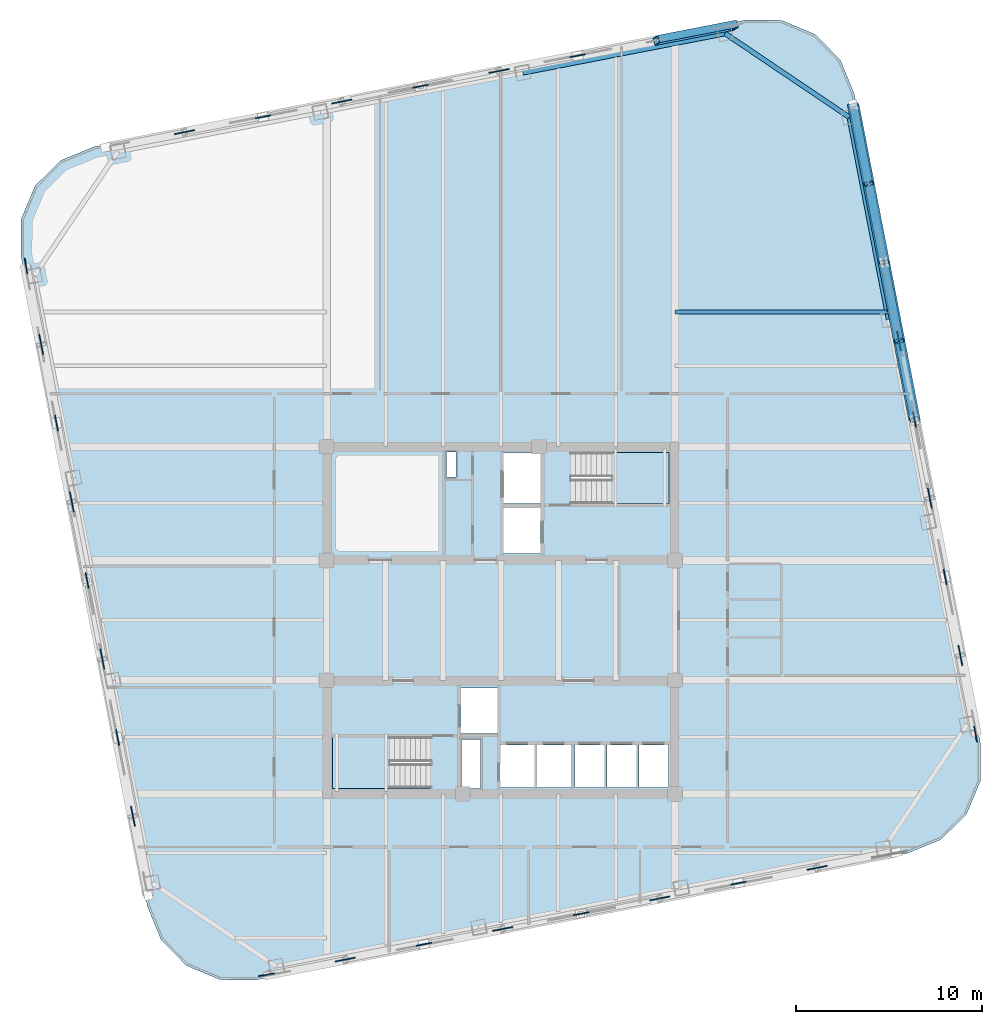
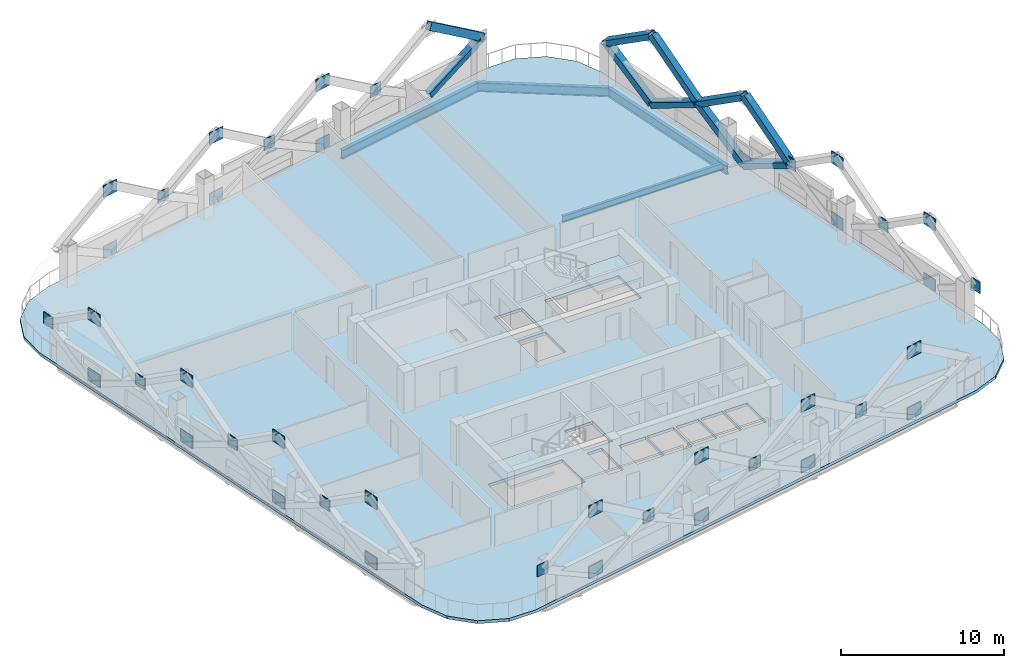
# One storey, part 3 of 10: 41 plates, 10 members, 4 beams, 3 slabs, 2 elements without a shape of their own.
"""IFC4 building model written with IfcOpenShell, lengths in metres."""

import ifcopenshell
import ifcopenshell.guid

model = None  # the IFC model being written
_history = None  # IfcOwnerHistory: only IFC2X3 demands one
_inside = {}  # id of a spatial element -> (the spatial element, [elements in it])
_under = {}  # id of a project, library or spatial element -> (it, [spatial elements below it])
_declared = {}  # id of a project -> (the project, [libraries it declares])
_typed = {}  # id of a type object -> (the type object, [elements of that type])
_made_of = {}  # id of a material, layer set ... -> (it, [elements and type objects made of it])


def new_model(schema):
    """Start an empty IFC model of exactly this schema.

    Asked for "IFC4X3", IfcOpenShell would pick the latest addendum, in which some entities
    have other attributes; the version numbers below select the first issue.
    IFC2X3 requires an IfcOwnerHistory on every rooted entity: one is made here for all.
    """
    global model, _history
    if schema == "IFC4X3":
        model = ifcopenshell.file(schema_version=(4, 3, 0, 0))
    else:
        model = ifcopenshell.file(schema=schema)
    _inside.clear()
    _under.clear()
    _declared.clear()
    _typed.clear()
    _made_of.clear()
    _history = None
    if model.schema == "IFC2X3":
        org = make("IfcOrganization", Name="unknown")
        user = make(
            "IfcPersonAndOrganization",
            ThePerson=make("IfcPerson", FamilyName="unknown"),
            TheOrganization=org,
        )
        app = make(
            "IfcApplication",
            ApplicationDeveloper=org,
            Version="unknown",
            ApplicationFullName="unknown",
            ApplicationIdentifier="unknown",
        )
        _history = make(
            "IfcOwnerHistory",
            OwningUser=user,
            OwningApplication=app,
            ChangeAction="ADDED",
            CreationDate=0,
        )
    return model


def make(cls, **values):
    """One entity of the class cls with the attributes given. An attribute that is None is left unset."""
    return model.create_entity(
        cls, **{name: value for name, value in values.items() if value is not None}
    )


def rooted(cls, **values):
    """An entity with a GlobalId (a new one), such as an element, a storey or a relation."""
    return make(cls, GlobalId=ifcopenshell.guid.new(), OwnerHistory=_history, **values)


def si_unit(unit_type, name, prefix=None):
    """IfcSIUnit, for example si_unit("LENGTHUNIT", "METRE", prefix="MILLI")."""
    return make("IfcSIUnit", UnitType=unit_type, Prefix=prefix, Name=name)


def assignment(units):
    """IfcUnitAssignment: the units of a project."""
    return None if units is None else make("IfcUnitAssignment", Units=units)


def point(xyz):
    """IfcCartesianPoint."""
    return None if xyz is None else make("IfcCartesianPoint", Coordinates=xyz)


def direction(xyz):
    """IfcDirection."""
    return None if xyz is None else make("IfcDirection", DirectionRatios=xyz)


def frame(location, z_axis=None, x_axis=None):
    """IfcAxis2Placement3D, a coordinate frame: its origin and axes. An axis left out is left unset."""
    return make(
        "IfcAxis2Placement3D",
        Location=point(location),
        Axis=direction(z_axis),
        RefDirection=direction(x_axis),
    )


def frame_2d(location, x_axis=None):
    """IfcAxis2Placement2D, a coordinate frame in the plane: its origin and x axis."""
    return make(
        "IfcAxis2Placement2D", Location=point(location), RefDirection=direction(x_axis)
    )


def origin():
    """The frame at (0, 0, 0) with its axes left unset."""
    return frame((0.0, 0.0, 0.0))


def origin_2d():
    """The frame at (0, 0) in the plane with its x axis left unset."""
    return frame_2d((0.0, 0.0))


def place(relative_to, where):
    """IfcLocalPlacement: puts the frame where relative to a parent placement (None: the world)."""
    return make(
        "IfcLocalPlacement", PlacementRelTo=relative_to, RelativePlacement=where
    )


def context(
    kind, dimensions, precision=None, world=None, true_north=None, identifier=None
):
    """IfcGeometricRepresentationContext, for example the 3D "Model" context."""
    return make(
        "IfcGeometricRepresentationContext",
        ContextIdentifier=identifier,
        ContextType=kind,
        CoordinateSpaceDimension=dimensions,
        Precision=precision,
        WorldCoordinateSystem=world,
        TrueNorth=true_north,
    )


def subcontext(parent, identifier, kind, view, scale=None):
    """IfcGeometricRepresentationSubContext, for example "Body" below "Model"."""
    return make(
        "IfcGeometricRepresentationSubContext",
        ContextIdentifier=identifier,
        ContextType=kind,
        ParentContext=parent,
        TargetScale=scale,
        TargetView=view,
    )


def project(units=None, contexts=None):
    """IfcProject with its units and contexts."""
    return rooted(
        "IfcProject",
        Name="project",
        RepresentationContexts=contexts,
        UnitsInContext=assignment(units),
    )


def spatial(cls, under=None, at=None, **own):
    """A site, building, storey or space (cls), placed at a placement, below another one or the project."""
    s = rooted(cls, ObjectPlacement=at, **own)
    if under is not None:
        _under.setdefault(under.id(), (under, []))[1].append(s)
    return s


def polyline(points):
    """IfcPolyline through the points."""
    return make("IfcPolyline", Points=[point(p) for p in points])


def profile(cls, at=None, kind="AREA", **sizes):
    """A parametric profile (cls). Its sizes go by their IFC names, for example OverallWidth=200.0."""
    return make(cls, ProfileType=kind, Position=at, **sizes)


def rectangle(**sizes):
    """IfcRectangleProfileDef."""
    return profile("IfcRectangleProfileDef", **sizes)


def hollow_rectangle(**sizes):
    """IfcRectangleHollowProfileDef."""
    return profile("IfcRectangleHollowProfileDef", **sizes)


def i_section(**sizes):
    """IfcIShapeProfileDef."""
    return profile("IfcIShapeProfileDef", **sizes)


def outline(outer, holes=None, kind="AREA"):
    """IfcArbitraryClosedProfileDef: a profile drawn as a closed curve; with holes, ...WithVoids."""
    if holes is None:
        return make("IfcArbitraryClosedProfileDef", ProfileType=kind, OuterCurve=outer)
    return make(
        "IfcArbitraryProfileDefWithVoids",
        ProfileType=kind,
        OuterCurve=outer,
        InnerCurves=holes,
    )


def extrude(swept, where, along, depth):
    """IfcExtrudedAreaSolid: the profile swept, set in the frame where, extruded along a direction by depth."""
    return make(
        "IfcExtrudedAreaSolid",
        SweptArea=swept,
        Position=where,
        ExtrudedDirection=direction(along),
        Depth=depth,
    )


def shape(context_of_items, identifier, shape_type, items):
    """IfcShapeRepresentation: the items that make up one representation, for example the "Body"."""
    return make(
        "IfcShapeRepresentation",
        ContextOfItems=context_of_items,
        RepresentationIdentifier=identifier,
        RepresentationType=shape_type,
        Items=items,
    )


def material(Name=None, Category=None):
    """IfcMaterial."""
    return make("IfcMaterial", Name=Name, Category=Category)


def layer(
    of_material, thickness, ventilated=None, Name=None, Category=None, Priority=None
):
    """IfcMaterialLayer: one layer of a wall or slab, of a material (None: an air gap)."""
    return make(
        "IfcMaterialLayer",
        Material=of_material,
        LayerThickness=thickness,
        IsVentilated=ventilated,
        Name=Name,
        Category=Category,
        Priority=Priority,
    )


def layer_set(layers, Name=None):
    """IfcMaterialLayerSet."""
    return make("IfcMaterialLayerSet", MaterialLayers=layers, LayerSetName=Name)


def material_profile(
    of_material, cross_section, Name=None, Category=None, Priority=None
):
    """IfcMaterialProfile: a cross section and its material."""
    return make(
        "IfcMaterialProfile",
        Name=Name,
        Material=of_material,
        Profile=cross_section,
        Priority=Priority,
        Category=Category,
    )


def profile_set(profiles, Name=None, composite=None):
    """IfcMaterialProfileSet."""
    return make(
        "IfcMaterialProfileSet",
        Name=Name,
        MaterialProfiles=profiles,
        CompositeProfile=composite,
    )


def made_of(thing, what):
    """Note that an element or type object is made of a material, layer set ...; save() writes the relation."""
    if what is not None:
        _made_of.setdefault(what.id(), (what, []))[1].append(thing)
    return thing


def type_object(cls, material=None, **own):
    """A type object (cls), such as IfcWallType, which elements share."""
    return made_of(rooted(cls, **own), material)


def element(
    cls,
    number,
    at=None,
    inside=None,
    cuts=None,
    type_object=None,
    material=None,
    context=None,
    identifier="Body",
    shape_type=None,
    held_by="IfcProductDefinitionShape",
    body=None,
    shapes=None,
    **own,
):
    """One element of the class cls, such as IfcWall. Its Tag is "e" and its number.

    at: its placement. inside: the storey or other place that contains it. cuts: it is an
    opening in that element (IfcRelVoidsElement). A single representation is given by context,
    identifier, shape_type and body (its items); several are given by shapes. held_by: the class
    of the entity that holds the representations. save() writes the other relations.
    """
    e = rooted(cls, Tag="e%d" % number, ObjectPlacement=at, **own)
    if body is not None:
        shapes = [shape(context, identifier, shape_type, body)]
    if shapes is not None:
        e.Representation = make(held_by, Representations=shapes)
    if inside is not None:
        _inside.setdefault(inside.id(), (inside, []))[1].append(e)
    if cuts is not None:
        rooted(
            "IfcRelVoidsElement", RelatingBuildingElement=cuts, RelatedOpeningElement=e
        )
    if type_object is not None:
        _typed.setdefault(type_object.id(), (type_object, []))[1].append(e)
    return made_of(e, material)


def aggregate(whole, parts):
    """IfcRelAggregates: a whole, such as a stair, and the parts it consists of."""
    return rooted("IfcRelAggregates", RelatingObject=whole, RelatedObjects=parts)


def save(model, path):
    """Write the relations noted so far, then the file.

    IfcRelAggregates (storeys below a building ...), IfcRelContainedInSpatialStructure (elements
    in a storey), IfcRelDefinesByType, IfcRelAssociatesMaterial and IfcRelDeclares: one each for
    every whole, place, type object, material and project.
    """
    for whole, parts in _under.values():
        aggregate(whole, parts)
    for where, things in _inside.values():
        rooted(
            "IfcRelContainedInSpatialStructure",
            RelatedElements=things,
            RelatingStructure=where,
        )
    for kind, things in _typed.values():
        rooted("IfcRelDefinesByType", RelatedObjects=things, RelatingType=kind)
    for what, things in _made_of.values():
        rooted("IfcRelAssociatesMaterial", RelatedObjects=things, RelatingMaterial=what)
    for by, libraries in _declared.values():
        rooted("IfcRelDeclares", RelatingContext=by, RelatedDefinitions=libraries)
    model.write(path)


model = new_model("IFC4")

# Units and contexts
model_context = context("Model", 3, precision=1e-05, world=origin(), true_north=direction((0.0, 1.0)))
body_context = subcontext(model_context, "Body", "Model", "MODEL_VIEW")
ifc_project = project(units=[si_unit("LENGTHUNIT", "METRE"), si_unit("AREAUNIT", "SQUARE_METRE"), si_unit("VOLUMEUNIT", "CUBIC_METRE"), si_unit("PLANEANGLEUNIT", "RADIAN"), si_unit("MASSUNIT", "GRAM", prefix="KILO")], contexts=[model_context])

# Site, building, storey
site_placement = place(None, origin())
site = spatial("IfcSite", under=ifc_project, at=site_placement, CompositionType="ELEMENT")
building_placement = place(site_placement, origin())
building = spatial("IfcBuilding", under=site, at=building_placement, Name="Qhalaya Broadcast Tower", CompositionType="ELEMENT")
storey_placement = place(building_placement, frame((0.0, 0.0, 131.10009765625)))
storey = spatial("IfcBuildingStorey", under=building, at=storey_placement, Name="L38", CompositionType="ELEMENT", Elevation=131.10009765625)

# Beam
ifc_material_1 = material(Name="Structural Steel ASTM A992 Grade 50", Category="steel")
ifc_material_profile_1 = material_profile(ifc_material_1, i_section(OverallWidth=0.19189453125, OverallDepth=0.462890625, WebThickness=0.010498046875, FlangeThickness=0.017578125, at=origin_2d()), Name="W18X60")
ifc_profile_set_1 = profile_set([ifc_material_profile_1], Name="Structural Steel ASTM A992 Grade 50")
beam_type_1 = type_object("IfcBeamType", Name="Composite Floor Joist J03", PredefinedType="JOIST", material=ifc_profile_set_1)
beam_1_placement = place(storey_placement, frame((9.375, 17.199951171875, -0.45166015625), z_axis=(1.0, 0.0, 0.0), x_axis=(0.0, 1.0, 0.0)))
element("IfcBeam", 1, at=beam_1_placement, inside=storey, type_object=beam_type_1, Name="L38 J03 L38-JWE7E-1", PredefinedType="JOIST", context=body_context, shape_type="SweptSolid", body=[
    extrude(i_section(OverallWidth=0.19189453125, OverallDepth=0.462890625, WebThickness=0.010498046875, FlangeThickness=0.017578125, at=origin_2d()), origin(), (0.0, 0.0, 1.0), 11.40576171875),
])

# Members
ifc_material_2 = material(Name="Structural Steel ASTM A572 Grade 50", Category="steel")
ifc_material_profile_2 = material_profile(ifc_material_2, hollow_rectangle(XDim=0.419921875, YDim=0.550048828125, WallThickness=0.028076171875, at=origin_2d()), Name="BOX 420x550x28")
ifc_profile_set_2 = profile_set([ifc_material_profile_2], Name="Structural Steel ASTM A572 Grade 50")
member_type = type_object("IfcMemberType", Name="Exoskeleton Diamond Diagonal Mid-Low EX2", PredefinedType="BRACE", material=ifc_profile_set_2)
member_1_placement = place(storey_placement, frame((21.4501953125, 15.642578125, 0.35986328125), z_axis=(0.167902203124, -0.863618006517, 0.475365952719), x_axis=(-0.276355899211, 0.421640895738, 0.863623976052)))
element("IfcMember", 2, at=member_1_placement, inside=storey, type_object=member_type, Name="B3 Exoskeleton Diamond Brace E3-D1", PredefinedType="BRACE", context=body_context, shape_type="SweptSolid", body=[
    extrude(hollow_rectangle(XDim=0.419921875, YDim=0.550048828125, WallThickness=0.028076171875, at=origin_2d()), origin(), (0.0, 0.0, 1.0), 4.901611328125),
])
member_2_placement = place(storey_placement, frame((21.4501953125, 15.642578125, 0.35986328125), z_axis=(-0.16784657874, 0.863637885863, 0.47534947997), x_axis=(0.276324827587, -0.421643364625, 0.863632712863)))
element("IfcMember", 3, at=member_2_placement, inside=storey, type_object=member_type, Name="B3 Exoskeleton Diamond Brace E3-D2", PredefinedType="BRACE", context=body_context, shape_type="SweptSolid", body=[
    extrude(hollow_rectangle(XDim=0.419921875, YDim=0.550048828125, WallThickness=0.028076171875, at=origin_2d()), origin(), (0.0, 0.0, 1.0), 4.90185546875),
])
for number, where, z_axis, x_axis, name in (
    (4, (22.273193359375, 11.409423828125, 2.68994140625), (-0.159893335716, 0.822423775729, 0.545942537553), (0.289577544331, -0.489647453062, 0.822429460519), "B3 Exoskeleton Diamond Brace E3-D3"),
    (5, (20.62744140625, 19.8759765625, 2.68994140625), (0.159840880392, -0.822445360829, 0.545925380804), (-0.289541830698, 0.489650140275, 0.822440434563), "B3 Exoskeleton Diamond Brace E3-D4"),
):
    element("IfcMember", number, at=place(storey_placement, frame(where, z_axis=z_axis, x_axis=x_axis)), inside=storey, type_object=member_type, Name=name, PredefinedType="BRACE", context=body_context, shape_type="SweptSolid", body=[
        extrude(hollow_rectangle(XDim=0.419921875, YDim=0.550048828125, WallThickness=0.028076171875, at=origin_2d()), origin(), (0.0, 0.0, 1.0), 5.147216796875),
    ])
member_3_placement = place(storey_placement, frame((19.804443359375, 24.109375, 0.35986328125), z_axis=(0.167894981079, -0.863630665056, 0.475345505611), x_axis=(-0.276347513602, 0.421624178814, 0.863634820723)))
element("IfcMember", 6, at=member_3_placement, inside=storey, type_object=member_type, Name="B3 Exoskeleton Diamond Brace E4-D1", PredefinedType="BRACE", context=body_context, shape_type="SweptSolid", body=[
    extrude(hollow_rectangle(XDim=0.419921875, YDim=0.550048828125, WallThickness=0.028076171875, at=origin_2d()), origin(), (0.0, 0.0, 1.0), 4.90185546875),
])
member_4_placement = place(storey_placement, frame((19.804443359375, 24.109375, 0.35986328125), z_axis=(-0.167853798825, 0.86362522784, 0.475369927591), x_axis=(0.276333211151, -0.421660083323, 0.863621867803)))
element("IfcMember", 7, at=member_4_placement, inside=storey, type_object=member_type, Name="B3 Exoskeleton Diamond Brace E4-D2", PredefinedType="BRACE", context=body_context, shape_type="SweptSolid", body=[
    extrude(hollow_rectangle(XDim=0.419921875, YDim=0.550048828125, WallThickness=0.028076171875, at=origin_2d()), origin(), (0.0, 0.0, 1.0), 4.901611328125),
])
member_5_placement = place(storey_placement, frame((20.62744140625, 19.8759765625, 2.68994140625), z_axis=(-0.159887098587, 0.822439124739, 0.545921241393), x_axis=(0.289568264946, -0.489630060841, 0.822443082199)))
element("IfcMember", 8, at=member_5_placement, inside=storey, type_object=member_type, Name="B3 Exoskeleton Diamond Brace E4-D3", PredefinedType="BRACE", context=body_context, shape_type="SweptSolid", body=[
    extrude(hollow_rectangle(XDim=0.419921875, YDim=0.550048828125, WallThickness=0.028076171875, at=origin_2d()), origin(), (0.0, 0.0, 1.0), 5.1474609375),
])
member_6_placement = place(storey_placement, frame((18.981689453125, 28.342529296875, 2.68994140625), z_axis=(0.159847115813, -0.822430012189, 0.545946677449), x_axis=(-0.289551107794, 0.489667534331, 0.822426812426)))
element("IfcMember", 9, at=member_6_placement, inside=storey, type_object=member_type, Name="B3 Exoskeleton Diamond Brace E4-D4", PredefinedType="BRACE", context=body_context, shape_type="SweptSolid", body=[
    extrude(hollow_rectangle(XDim=0.419921875, YDim=0.550048828125, WallThickness=0.028076171875, at=origin_2d()), origin(), (0.0, 0.0, 1.0), 5.147216796875),
])
member_7_placement = place(storey_placement, frame((8.370361328125, 31.82177734375, 0.35986328125), z_axis=(0.86362522784, 0.167853798825, 0.475369927591), x_axis=(-0.276322709835, 0.946290155626, 0.167871085642)))
element("IfcMember", 10, at=member_7_placement, inside=storey, type_object=member_type, Name="B3 Exoskeleton Diamond Brace N1-D1", PredefinedType="BRACE", context=body_context, shape_type="SweptSolid", body=[
    extrude(hollow_rectangle(XDim=0.419921875, YDim=0.550048828125, WallThickness=0.028076171875, at=origin_2d()), origin(), (0.0, 0.0, 1.0), 4.901611328125),
])
member_8_placement = place(storey_placement, frame((12.603515625, 32.64453125, 2.68994140625), z_axis=(-0.822430012189, -0.159847115813, 0.545946677449), x_axis=(0.289542019185, -0.943720856791, 0.159863578043)))
element("IfcMember", 11, at=member_8_placement, inside=storey, type_object=member_type, Name="B3 Exoskeleton Diamond Brace N1-D3", PredefinedType="BRACE", context=body_context, shape_type="SweptSolid", body=[
    extrude(hollow_rectangle(XDim=0.419921875, YDim=0.550048828125, WallThickness=0.028076171875, at=origin_2d()), origin(), (0.0, 0.0, 1.0), 5.147216796875),
])

# Beams
ifc_material_profile_3 = material_profile(ifc_material_1, i_section(OverallWidth=0.25390625, OverallDepth=0.68310546875, WebThickness=0.012451171875, FlangeThickness=0.01904296875, at=origin_2d()), Name="W27X94")
ifc_profile_set_3 = profile_set([ifc_material_profile_3], Name="Structural Steel ASTM A992 Grade 50")
beam_type_2 = type_object("IfcBeamType", Name="Perimeter Ring Spandrel Beam SP1", PredefinedType="SPANDREL", material=ifc_profile_set_3)
beam_2_placement = place(storey_placement, frame((20.88037109375, 16.79248046875, -0.5615234375), z_axis=(-0.190800781233, 0.98162878008, 0.0), x_axis=(-0.98162878008, -0.190800781233, 0.0)))
element("IfcBeam", 12, at=beam_2_placement, inside=storey, type_object=beam_type_2, Name="L38 SP1 L38-SPR-07", PredefinedType="SPANDREL", context=body_context, shape_type="SweptSolid", body=[
    extrude(i_section(OverallWidth=0.25390625, OverallDepth=0.68310546875, WebThickness=0.012451171875, FlangeThickness=0.01904296875, at=origin_2d()), origin(), (0.0, 0.0, 1.0), 11.10009765625),
])
beam_3_placement = place(storey_placement, frame((18.762451171875, 27.688720703125, -0.5615234375), z_axis=(-0.829042088473, 0.559186208288, 0.0), x_axis=(-0.559186208288, -0.829042088473, 0.0)))
element("IfcBeam", 13, at=beam_3_placement, inside=storey, type_object=beam_type_2, Name="L38 SP1 L38-SPR-08", PredefinedType="SPANDREL", context=body_context, shape_type="SweptSolid", body=[
    extrude(i_section(OverallWidth=0.25390625, OverallDepth=0.68310546875, WebThickness=0.012451171875, FlangeThickness=0.01904296875, at=origin_2d()), origin(), (0.0, 0.0, 1.0), 8.06103515625),
])
beam_4_placement = place(storey_placement, frame((12.07958984375, 32.1962890625, -0.5615234375), z_axis=(-0.98162878008, -0.190800781233, 0.0), x_axis=(0.190800781233, -0.98162878008, 0.0)))
element("IfcBeam", 14, at=beam_4_placement, inside=storey, type_object=beam_type_2, Name="L38 SP1 L38-SPR-09", PredefinedType="SPANDREL", context=body_context, shape_type="SweptSolid", body=[
    extrude(i_section(OverallWidth=0.25390625, OverallDepth=0.68310546875, WebThickness=0.012451171875, FlangeThickness=0.01904296875, at=origin_2d()), origin(), (0.0, 0.0, 1.0), 11.10009765625),
])

# Plates
ifc_layer_1 = layer(ifc_material_2, 0.054931640625, Name="Structural Steel ASTM A572 Grade 50")
ifc_layer_set_1 = layer_set([ifc_layer_1], Name="Structural Steel ASTM A572 Grade 50")
plate_type = type_object("IfcPlateType", Name="Exoskeleton Diamond Node Gusset Plate NP-01", PredefinedType="USERDEFINED", material=ifc_layer_set_1)
for number, where, z_axis, x_axis, name in (
    (15, (-8.370361328125, -17.66162109375, 0.2099609375), (0.0, 0.0, 1.0), (0.981627183448, 0.190808995377, 0.0), "Exoskeleton Diamond Node B3-S1-BOT"),
    (16, (-8.370361328125, -17.66162109375, 4.75), (0.0, 0.0, 1.0), (0.981627183448, 0.190808995377, 0.0), "Exoskeleton Diamond Node B3-S1-TOP"),
):
    element("IfcPlate", number, at=place(storey_placement, frame(where, z_axis=z_axis, x_axis=x_axis)), inside=storey, type_object=plate_type, Name=name, ObjectType="GUSSET_PLATE", PredefinedType="USERDEFINED", context=body_context, shape_type="SweptSolid", body=[
        extrude(rectangle(XDim=1.10009765625, YDim=0.054931640625, at=origin_2d()), origin(), (0.0, 0.0, 1.0), 0.89990234375),
    ])
plate_1_placement = place(storey_placement, frame((-12.603515625, -18.484619140625, 2.264892578125), z_axis=(0.0, 0.0, 1.0), x_axis=(0.981627183448, 0.190808995377, 0.0)))
element("IfcPlate", 17, at=plate_1_placement, inside=storey, type_object=plate_type, Name="Exoskeleton Diamond Node B3-S1-MDL", ObjectType="GUSSET_PLATE", PredefinedType="USERDEFINED", context=body_context, shape_type="SweptSolid", body=[
    extrude(rectangle(XDim=0.85009765625, YDim=0.054931640625, at=origin_2d()), origin(), (0.0, 0.0, 1.0), 0.85009765625),
])
for number, where, z_axis, x_axis, name in (
    (18, (0.09619140625, -16.01611328125, 0.2099609375), (0.0, 0.0, 1.0), (0.981627183448, 0.190808995377, 0.0), "Exoskeleton Diamond Node B3-S2-BOT"),
    (19, (0.09619140625, -16.01611328125, 4.75), (0.0, 0.0, 1.0), (0.981627183448, 0.190808995377, 0.0), "Exoskeleton Diamond Node B3-S2-TOP"),
):
    element("IfcPlate", number, at=place(storey_placement, frame(where, z_axis=z_axis, x_axis=x_axis)), inside=storey, type_object=plate_type, Name=name, ObjectType="GUSSET_PLATE", PredefinedType="USERDEFINED", context=body_context, shape_type="SweptSolid", body=[
        extrude(rectangle(XDim=1.10009765625, YDim=0.054931640625, at=origin_2d()), origin(), (0.0, 0.0, 1.0), 0.89990234375),
    ])
plate_2_placement = place(storey_placement, frame((-4.13720703125, -16.8388671875, 2.264892578125), z_axis=(0.0, 0.0, 1.0), x_axis=(0.981627183448, 0.190808995377, 0.0)))
element("IfcPlate", 20, at=plate_2_placement, inside=storey, type_object=plate_type, Name="Exoskeleton Diamond Node B3-S2-MDL", ObjectType="GUSSET_PLATE", PredefinedType="USERDEFINED", context=body_context, shape_type="SweptSolid", body=[
    extrude(rectangle(XDim=0.85009765625, YDim=0.054931640625, at=origin_2d()), origin(), (0.0, 0.0, 1.0), 0.85009765625),
])
for number, where, z_axis, x_axis, name in (
    (21, (8.562744140625, -14.370361328125, 0.2099609375), (0.0, 0.0, 1.0), (0.981627183448, 0.190808995377, 0.0), "Exoskeleton Diamond Node B3-S3-BOT"),
    (22, (8.562744140625, -14.370361328125, 4.75), (0.0, 0.0, 1.0), (0.981627183448, 0.190808995377, 0.0), "Exoskeleton Diamond Node B3-S3-TOP"),
):
    element("IfcPlate", number, at=place(storey_placement, frame(where, z_axis=z_axis, x_axis=x_axis)), inside=storey, type_object=plate_type, Name=name, ObjectType="GUSSET_PLATE", PredefinedType="USERDEFINED", context=body_context, shape_type="SweptSolid", body=[
        extrude(rectangle(XDim=1.10009765625, YDim=0.054931640625, at=origin_2d()), origin(), (0.0, 0.0, 1.0), 0.89990234375),
    ])
plate_3_placement = place(storey_placement, frame((4.32958984375, -15.193115234375, 2.264892578125), z_axis=(0.0, 0.0, 1.0), x_axis=(0.981627183448, 0.190808995377, 0.0)))
element("IfcPlate", 23, at=plate_3_placement, inside=storey, type_object=plate_type, Name="Exoskeleton Diamond Node B3-S3-MDL", ObjectType="GUSSET_PLATE", PredefinedType="USERDEFINED", context=body_context, shape_type="SweptSolid", body=[
    extrude(rectangle(XDim=0.85009765625, YDim=0.054931640625, at=origin_2d()), origin(), (0.0, 0.0, 1.0), 0.85009765625),
])
for number, where, z_axis, x_axis, name in (
    (24, (17.029296875, -12.724609375, 0.2099609375), (0.0, 0.0, 1.0), (0.981627183448, 0.190808995377, 0.0), "Exoskeleton Diamond Node B3-S4-BOT"),
    (25, (17.029296875, -12.724609375, 4.75), (0.0, 0.0, 1.0), (0.981627183448, 0.190808995377, 0.0), "Exoskeleton Diamond Node B3-S4-TOP"),
):
    element("IfcPlate", number, at=place(storey_placement, frame(where, z_axis=z_axis, x_axis=x_axis)), inside=storey, type_object=plate_type, Name=name, ObjectType="GUSSET_PLATE", PredefinedType="USERDEFINED", context=body_context, shape_type="SweptSolid", body=[
        extrude(rectangle(XDim=1.10009765625, YDim=0.054931640625, at=origin_2d()), origin(), (0.0, 0.0, 1.0), 0.89990234375),
    ])
plate_4_placement = place(storey_placement, frame((12.7958984375, -13.54736328125, 2.264892578125), z_axis=(0.0, 0.0, 1.0), x_axis=(0.981627183448, 0.190808995377, 0.0)))
element("IfcPlate", 26, at=plate_4_placement, inside=storey, type_object=plate_type, Name="Exoskeleton Diamond Node B3-S4-MDL", ObjectType="GUSSET_PLATE", PredefinedType="USERDEFINED", context=body_context, shape_type="SweptSolid", body=[
    extrude(rectangle(XDim=0.85009765625, YDim=0.054931640625, at=origin_2d()), origin(), (0.0, 0.0, 1.0), 0.85009765625),
])
for number, where, z_axis, x_axis, name in (
    (27, (24.74169921875, -1.290283203125, 0.2099609375), (0.0, 0.0, 1.0), (-0.190808995377, 0.981627183448, 0.0), "Exoskeleton Diamond Node B3-E1-BOT"),
    (28, (24.74169921875, -1.290283203125, 4.75), (0.0, 0.0, 1.0), (-0.190808995377, 0.981627183448, 0.0), "Exoskeleton Diamond Node B3-E1-TOP"),
):
    element("IfcPlate", number, at=place(storey_placement, frame(where, z_axis=z_axis, x_axis=x_axis)), inside=storey, type_object=plate_type, Name=name, ObjectType="GUSSET_PLATE", PredefinedType="USERDEFINED", context=body_context, shape_type="SweptSolid", body=[
        extrude(rectangle(XDim=1.10009765625, YDim=0.054931640625, at=origin_2d()), origin(), (0.0, 0.0, 1.0), 0.89990234375),
    ])
plate_5_placement = place(storey_placement, frame((25.564697265625, -5.523681640625, 2.264892578125), z_axis=(0.0, 0.0, 1.0), x_axis=(-0.190808995377, 0.981627183448, 0.0)))
element("IfcPlate", 29, at=plate_5_placement, inside=storey, type_object=plate_type, Name="Exoskeleton Diamond Node B3-E1-MDL", ObjectType="GUSSET_PLATE", PredefinedType="USERDEFINED", context=body_context, shape_type="SweptSolid", body=[
    extrude(rectangle(XDim=0.85009765625, YDim=0.054931640625, at=origin_2d()), origin(), (0.0, 0.0, 1.0), 0.85009765625),
])
for number, where, z_axis, x_axis, name in (
    (30, (23.095947265625, 7.17626953125, 0.2099609375), (0.0, 0.0, 1.0), (-0.190808995377, 0.981627183448, 0.0), "Exoskeleton Diamond Node B3-E2-BOT"),
    (31, (23.095947265625, 7.17626953125, 4.75), (0.0, 0.0, 1.0), (-0.190808995377, 0.981627183448, 0.0), "Exoskeleton Diamond Node B3-E2-TOP"),
):
    element("IfcPlate", number, at=place(storey_placement, frame(where, z_axis=z_axis, x_axis=x_axis)), inside=storey, type_object=plate_type, Name=name, ObjectType="GUSSET_PLATE", PredefinedType="USERDEFINED", context=body_context, shape_type="SweptSolid", body=[
        extrude(rectangle(XDim=1.10009765625, YDim=0.054931640625, at=origin_2d()), origin(), (0.0, 0.0, 1.0), 0.89990234375),
    ])
plate_6_placement = place(storey_placement, frame((23.918701171875, 2.94287109375, 2.264892578125), z_axis=(0.0, 0.0, 1.0), x_axis=(-0.190808995377, 0.981627183448, 0.0)))
element("IfcPlate", 32, at=plate_6_placement, inside=storey, type_object=plate_type, Name="Exoskeleton Diamond Node B3-E2-MDL", ObjectType="GUSSET_PLATE", PredefinedType="USERDEFINED", context=body_context, shape_type="SweptSolid", body=[
    extrude(rectangle(XDim=0.85009765625, YDim=0.054931640625, at=origin_2d()), origin(), (0.0, 0.0, 1.0), 0.85009765625),
])
plate_7_placement = place(storey_placement, frame((21.4501953125, 15.642578125, 0.2099609375), z_axis=(0.0, 0.0, 1.0), x_axis=(-0.190808995377, 0.981627183448, 0.0)))
element("IfcPlate", 33, at=plate_7_placement, inside=storey, type_object=plate_type, Name="Exoskeleton Diamond Node B3-E3-BOT", ObjectType="GUSSET_PLATE", PredefinedType="USERDEFINED", context=body_context, shape_type="SweptSolid", body=[
    extrude(rectangle(XDim=1.10009765625, YDim=0.054931640625, at=origin_2d()), origin(), (0.0, 0.0, 1.0), 0.89990234375),
])
plate_8_placement = place(storey_placement, frame((22.273193359375, 11.409423828125, 2.264892578125), z_axis=(0.0, 0.0, 1.0), x_axis=(-0.190808995377, 0.981627183448, 0.0)))
element("IfcPlate", 34, at=plate_8_placement, inside=storey, type_object=plate_type, Name="Exoskeleton Diamond Node B3-E3-MDL", ObjectType="GUSSET_PLATE", PredefinedType="USERDEFINED", context=body_context, shape_type="SweptSolid", body=[
    extrude(rectangle(XDim=0.85009765625, YDim=0.054931640625, at=origin_2d()), origin(), (0.0, 0.0, 1.0), 0.85009765625),
])
for number, where, z_axis, x_axis, name in (
    (35, (-0.09619140625, 30.176025390625, 0.2099609375), (0.0, 0.0, 1.0), (0.981627183448, 0.190808995377, 0.0), "Exoskeleton Diamond Node B3-N2-BOT"),
    (36, (-0.09619140625, 30.176025390625, 4.75), (0.0, 0.0, 1.0), (0.981627183448, 0.190808995377, 0.0), "Exoskeleton Diamond Node B3-N2-TOP"),
):
    element("IfcPlate", number, at=place(storey_placement, frame(where, z_axis=z_axis, x_axis=x_axis)), inside=storey, type_object=plate_type, Name=name, ObjectType="GUSSET_PLATE", PredefinedType="USERDEFINED", context=body_context, shape_type="SweptSolid", body=[
        extrude(rectangle(XDim=1.10009765625, YDim=0.054931640625, at=origin_2d()), origin(), (0.0, 0.0, 1.0), 0.89990234375),
    ])
plate_9_placement = place(storey_placement, frame((4.13720703125, 30.998779296875, 2.264892578125), z_axis=(0.0, 0.0, 1.0), x_axis=(0.981627183448, 0.190808995377, 0.0)))
element("IfcPlate", 37, at=plate_9_placement, inside=storey, type_object=plate_type, Name="Exoskeleton Diamond Node B3-N2-MDL", ObjectType="GUSSET_PLATE", PredefinedType="USERDEFINED", context=body_context, shape_type="SweptSolid", body=[
    extrude(rectangle(XDim=0.85009765625, YDim=0.054931640625, at=origin_2d()), origin(), (0.0, 0.0, 1.0), 0.85009765625),
])
for number, where, z_axis, x_axis, name in (
    (38, (-8.562744140625, 28.5302734375, 0.2099609375), (0.0, 0.0, 1.0), (0.981627183448, 0.190808995377, 0.0), "Exoskeleton Diamond Node B3-N3-BOT"),
    (39, (-8.562744140625, 28.5302734375, 4.75), (0.0, 0.0, 1.0), (0.981627183448, 0.190808995377, 0.0), "Exoskeleton Diamond Node B3-N3-TOP"),
):
    element("IfcPlate", number, at=place(storey_placement, frame(where, z_axis=z_axis, x_axis=x_axis)), inside=storey, type_object=plate_type, Name=name, ObjectType="GUSSET_PLATE", PredefinedType="USERDEFINED", context=body_context, shape_type="SweptSolid", body=[
        extrude(rectangle(XDim=1.10009765625, YDim=0.054931640625, at=origin_2d()), origin(), (0.0, 0.0, 1.0), 0.89990234375),
    ])
plate_10_placement = place(storey_placement, frame((-4.32958984375, 29.35302734375, 2.264892578125), z_axis=(0.0, 0.0, 1.0), x_axis=(0.981627183448, 0.190808995377, 0.0)))
element("IfcPlate", 40, at=plate_10_placement, inside=storey, type_object=plate_type, Name="Exoskeleton Diamond Node B3-N3-MDL", ObjectType="GUSSET_PLATE", PredefinedType="USERDEFINED", context=body_context, shape_type="SweptSolid", body=[
    extrude(rectangle(XDim=0.85009765625, YDim=0.054931640625, at=origin_2d()), origin(), (0.0, 0.0, 1.0), 0.85009765625),
])
for number, where, z_axis, x_axis, name in (
    (41, (-17.029296875, 26.884521484375, 0.2099609375), (0.0, 0.0, 1.0), (0.981627183448, 0.190808995377, 0.0), "Exoskeleton Diamond Node B3-N4-BOT"),
    (42, (-17.029296875, 26.884521484375, 4.75), (0.0, 0.0, 1.0), (0.981627183448, 0.190808995377, 0.0), "Exoskeleton Diamond Node B3-N4-TOP"),
):
    element("IfcPlate", number, at=place(storey_placement, frame(where, z_axis=z_axis, x_axis=x_axis)), inside=storey, type_object=plate_type, Name=name, ObjectType="GUSSET_PLATE", PredefinedType="USERDEFINED", context=body_context, shape_type="SweptSolid", body=[
        extrude(rectangle(XDim=1.10009765625, YDim=0.054931640625, at=origin_2d()), origin(), (0.0, 0.0, 1.0), 0.89990234375),
    ])
plate_11_placement = place(storey_placement, frame((-12.7958984375, 27.70751953125, 2.264892578125), z_axis=(0.0, 0.0, 1.0), x_axis=(0.981627183448, 0.190808995377, 0.0)))
element("IfcPlate", 43, at=plate_11_placement, inside=storey, type_object=plate_type, Name="Exoskeleton Diamond Node B3-N4-MDL", ObjectType="GUSSET_PLATE", PredefinedType="USERDEFINED", context=body_context, shape_type="SweptSolid", body=[
    extrude(rectangle(XDim=0.85009765625, YDim=0.054931640625, at=origin_2d()), origin(), (0.0, 0.0, 1.0), 0.85009765625),
])
for number, where, z_axis, x_axis, name in (
    (44, (-24.74169921875, 15.4501953125, 0.2099609375), (0.0, 0.0, 1.0), (-0.190808995377, 0.981627183448, 0.0), "Exoskeleton Diamond Node B3-W1-BOT"),
    (45, (-24.74169921875, 15.4501953125, 4.75), (0.0, 0.0, 1.0), (-0.190808995377, 0.981627183448, 0.0), "Exoskeleton Diamond Node B3-W1-TOP"),
):
    element("IfcPlate", number, at=place(storey_placement, frame(where, z_axis=z_axis, x_axis=x_axis)), inside=storey, type_object=plate_type, Name=name, ObjectType="GUSSET_PLATE", PredefinedType="USERDEFINED", context=body_context, shape_type="SweptSolid", body=[
        extrude(rectangle(XDim=1.10009765625, YDim=0.054931640625, at=origin_2d()), origin(), (0.0, 0.0, 1.0), 0.89990234375),
    ])
plate_12_placement = place(storey_placement, frame((-25.564697265625, 19.68359375, 2.264892578125), z_axis=(0.0, 0.0, 1.0), x_axis=(-0.190808995377, 0.981627183448, 0.0)))
element("IfcPlate", 46, at=plate_12_placement, inside=storey, type_object=plate_type, Name="Exoskeleton Diamond Node B3-W1-MDL", ObjectType="GUSSET_PLATE", PredefinedType="USERDEFINED", context=body_context, shape_type="SweptSolid", body=[
    extrude(rectangle(XDim=0.85009765625, YDim=0.054931640625, at=origin_2d()), origin(), (0.0, 0.0, 1.0), 0.85009765625),
])
for number, where, z_axis, x_axis, name in (
    (47, (-23.095947265625, 6.98388671875, 0.2099609375), (0.0, 0.0, 1.0), (-0.190808995377, 0.981627183448, 0.0), "Exoskeleton Diamond Node B3-W2-BOT"),
    (48, (-23.095947265625, 6.98388671875, 4.75), (0.0, 0.0, 1.0), (-0.190808995377, 0.981627183448, 0.0), "Exoskeleton Diamond Node B3-W2-TOP"),
):
    element("IfcPlate", number, at=place(storey_placement, frame(where, z_axis=z_axis, x_axis=x_axis)), inside=storey, type_object=plate_type, Name=name, ObjectType="GUSSET_PLATE", PredefinedType="USERDEFINED", context=body_context, shape_type="SweptSolid", body=[
        extrude(rectangle(XDim=1.10009765625, YDim=0.054931640625, at=origin_2d()), origin(), (0.0, 0.0, 1.0), 0.89990234375),
    ])
plate_13_placement = place(storey_placement, frame((-23.918701171875, 11.217041015625, 2.264892578125), z_axis=(0.0, 0.0, 1.0), x_axis=(-0.190808995377, 0.981627183448, 0.0)))
element("IfcPlate", 49, at=plate_13_placement, inside=storey, type_object=plate_type, Name="Exoskeleton Diamond Node B3-W2-MDL", ObjectType="GUSSET_PLATE", PredefinedType="USERDEFINED", context=body_context, shape_type="SweptSolid", body=[
    extrude(rectangle(XDim=0.85009765625, YDim=0.054931640625, at=origin_2d()), origin(), (0.0, 0.0, 1.0), 0.85009765625),
])
for number, where, z_axis, x_axis, name in (
    (50, (-21.4501953125, -1.482666015625, 0.2099609375), (0.0, 0.0, 1.0), (-0.190808995377, 0.981627183448, 0.0), "Exoskeleton Diamond Node B3-W3-BOT"),
    (51, (-21.4501953125, -1.482666015625, 4.75), (0.0, 0.0, 1.0), (-0.190808995377, 0.981627183448, 0.0), "Exoskeleton Diamond Node B3-W3-TOP"),
):
    element("IfcPlate", number, at=place(storey_placement, frame(where, z_axis=z_axis, x_axis=x_axis)), inside=storey, type_object=plate_type, Name=name, ObjectType="GUSSET_PLATE", PredefinedType="USERDEFINED", context=body_context, shape_type="SweptSolid", body=[
        extrude(rectangle(XDim=1.10009765625, YDim=0.054931640625, at=origin_2d()), origin(), (0.0, 0.0, 1.0), 0.89990234375),
    ])
plate_14_placement = place(storey_placement, frame((-22.273193359375, 2.75048828125, 2.264892578125), z_axis=(0.0, 0.0, 1.0), x_axis=(-0.190808995377, 0.981627183448, 0.0)))
element("IfcPlate", 52, at=plate_14_placement, inside=storey, type_object=plate_type, Name="Exoskeleton Diamond Node B3-W3-MDL", ObjectType="GUSSET_PLATE", PredefinedType="USERDEFINED", context=body_context, shape_type="SweptSolid", body=[
    extrude(rectangle(XDim=0.85009765625, YDim=0.054931640625, at=origin_2d()), origin(), (0.0, 0.0, 1.0), 0.85009765625),
])
for number, where, z_axis, x_axis, name in (
    (53, (-19.804443359375, -9.94921875, 0.2099609375), (0.0, 0.0, 1.0), (-0.190808995377, 0.981627183448, 0.0), "Exoskeleton Diamond Node B3-W4-BOT"),
    (54, (-19.804443359375, -9.94921875, 4.75), (0.0, 0.0, 1.0), (-0.190808995377, 0.981627183448, 0.0), "Exoskeleton Diamond Node B3-W4-TOP"),
):
    element("IfcPlate", number, at=place(storey_placement, frame(where, z_axis=z_axis, x_axis=x_axis)), inside=storey, type_object=plate_type, Name=name, ObjectType="GUSSET_PLATE", PredefinedType="USERDEFINED", context=body_context, shape_type="SweptSolid", body=[
        extrude(rectangle(XDim=1.10009765625, YDim=0.054931640625, at=origin_2d()), origin(), (0.0, 0.0, 1.0), 0.89990234375),
    ])
plate_15_placement = place(storey_placement, frame((-20.62744140625, -5.716064453125, 2.264892578125), z_axis=(0.0, 0.0, 1.0), x_axis=(-0.190808995377, 0.981627183448, 0.0)))
element("IfcPlate", 55, at=plate_15_placement, inside=storey, type_object=plate_type, Name="Exoskeleton Diamond Node B3-W4-MDL", ObjectType="GUSSET_PLATE", PredefinedType="USERDEFINED", context=body_context, shape_type="SweptSolid", body=[
    extrude(rectangle(XDim=0.85009765625, YDim=0.054931640625, at=origin_2d()), origin(), (0.0, 0.0, 1.0), 0.85009765625),
])

# Stair, slab
ifc_material_3 = material(Name="Concrete C40/50", Category="concrete")
stair_type = type_object("IfcStairType", Name="Protected Dogleg Core Stair 3150", PredefinedType="TWO_STRAIGHT_RUN_STAIR", material=ifc_material_3)
stair_1_placement = place(storey_placement, origin())
stair_1 = element("IfcStair", 56, at=stair_1_placement, inside=storey, type_object=stair_type, Name="L38 North Core Exit Stair ST-1", PredefinedType="TWO_STRAIGHT_RUN_STAIR")
ifc_layer_2 = layer(ifc_material_3, 0.199951171875, Name="Concrete C40/50")
ifc_layer_set_2 = layer_set([ifc_layer_2], Name="Concrete C40/50")
slab_type_1 = type_object("IfcSlabType", Name="Stair & Ramp Half-Landing Slab 200", PredefinedType="LANDING", material=ifc_layer_set_2)
slab_1_placement = place(storey_placement, frame((0.0, 0.0, 1.324951171875)))
slab_1 = element("IfcSlab", 57, at=slab_1_placement, type_object=slab_type_1, Name="ST-1 landing 1", PredefinedType="LANDING", context=body_context, shape_type="SweptSolid", body=[
    extrude(outline(polyline([(5.955078125, 6.8798828125), (9.050048828125, 6.8798828125), (9.050048828125, 9.639892578125), (5.955078125, 9.639892578125), (5.955078125, 6.8798828125)])), origin(), (0.0, 0.0, 1.0), 0.199951171875),
])
aggregate(stair_1, [slab_1])

stair_2_placement = place(storey_placement, origin())
stair_2 = element("IfcStair", 58, at=stair_2_placement, inside=storey, type_object=stair_type, Name="L38 South Core Exit Stair ST-2", PredefinedType="TWO_STRAIGHT_RUN_STAIR")
slab_2_placement = place(storey_placement, frame((0.0, 0.0, 1.324951171875)))
slab_2 = element("IfcSlab", 59, at=slab_2_placement, type_object=slab_type_1, Name="ST-2 landing 1", PredefinedType="LANDING", context=body_context, shape_type="SweptSolid", body=[
    extrude(outline(polyline([(-5.955078125, -5.679931640625), (-9.050048828125, -5.679931640625), (-9.050048828125, -8.43994140625), (-5.955078125, -8.43994140625), (-5.955078125, -5.679931640625)])), origin(), (0.0, 0.0, 1.0), 0.199951171875),
])
aggregate(stair_2, [slab_2])

# Slab
ifc_layer_3 = layer(ifc_material_3, 0.219970703125, Name="Concrete C40/50")
ifc_layer_set_3 = layer_set([ifc_layer_3], Name="Concrete C40/50")
slab_type_2 = type_object("IfcSlabType", Name="Tower Composite Floor Slab 220", PredefinedType="FLOOR", material=ifc_layer_set_3)
slab_3_placement = place(storey_placement, frame((0.0, 0.0, -0.22021484375)))
element("IfcSlab", 60, at=slab_3_placement, inside=storey, type_object=slab_type_2, Name="L38 Main Structural Floor Slab", PredefinedType="FLOOR", context=body_context, shape_type="SweptSolid", body=[
    extrude(outline(polyline([(21.882080078125, -11.944091796875), (23.687744140625, -11.20556640625), (25.0732421875, -9.83203125), (25.82763671875, -8.032958984375), (25.836181640625, -6.08203125), (19.024169921875, 28.9619140625), (18.285400390625, 30.767578125), (16.912109375, 32.1533203125), (15.11279296875, 32.90771484375), (13.162109375, 32.916015625), (-21.882080078125, 26.104248046875), (-23.687744140625, 25.365478515625), (-25.0732421875, 23.9921875), (-25.82763671875, 22.19287109375), (-25.836181640625, 20.2421875), (-19.024169921875, -14.802001953125), (-18.285400390625, -16.607666015625), (-16.912109375, -17.9931640625), (-15.11279296875, -18.74755859375), (-13.162109375, -18.756103515625), (21.882080078125, -11.944091796875)]), holes=[polyline([(3.784912109375, 9.639892578125), (9.050048828125, 9.639892578125), (9.050048828125, 6.8798828125), (3.784912109375, 6.8798828125), (3.784912109375, 9.639892578125)]), polyline([(-3.784912109375, -8.43994140625), (-9.050048828125, -8.43994140625), (-9.050048828125, -5.679931640625), (-3.784912109375, -5.679931640625), (-3.784912109375, -8.43994140625)]), polyline([(0.14990234375, 6.64990234375), (2.14990234375, 6.64990234375), (2.14990234375, 4.199951171875), (0.14990234375, 4.199951171875), (0.14990234375, 6.64990234375)]), polyline([(0.14990234375, 9.60009765625), (2.14990234375, 9.60009765625), (2.14990234375, 6.89990234375), (0.14990234375, 6.89990234375), (0.14990234375, 9.60009765625)]), polyline([(-2.14990234375, -3.050048828125), (-0.14990234375, -3.050048828125), (-0.14990234375, -5.5), (-2.14990234375, -5.5), (-2.14990234375, -3.050048828125)]), polyline([(-0.050048828125, -6.10009765625), (1.830078125, -6.10009765625), (1.830078125, -8.39990234375), (-0.050048828125, -8.39990234375), (-0.050048828125, -6.10009765625)]), polyline([(1.949951171875, -6.10009765625), (3.830078125, -6.10009765625), (3.830078125, -8.39990234375), (1.949951171875, -8.39990234375), (1.949951171875, -6.10009765625)]), polyline([(4.0, -6.10009765625), (5.60009765625, -6.10009765625), (5.60009765625, -8.39990234375), (4.0, -8.39990234375), (4.0, -6.10009765625)]), polyline([(5.719970703125, -6.10009765625), (7.320068359375, -6.10009765625), (7.320068359375, -8.39990234375), (5.719970703125, -8.39990234375), (5.719970703125, -6.10009765625)]), polyline([(7.43994140625, -6.10009765625), (9.0400390625, -6.10009765625), (9.0400390625, -8.39990234375), (7.43994140625, -8.39990234375), (7.43994140625, -6.10009765625)]), polyline([(-2.919921875, 9.659912109375), (-2.419921875, 9.659912109375), (-2.419921875, 8.320068359375), (-2.919921875, 8.320068359375), (-2.919921875, 9.659912109375)]), polyline([(-2.1201171875, -5.820068359375), (-1.080078125, -5.820068359375), (-1.080078125, -8.4599609375), (-2.1201171875, -8.4599609375), (-2.1201171875, -5.820068359375)])]), origin(), (0.0, 0.0, 1.0), 0.22021484375),
])

save(model, "model.ifc")
